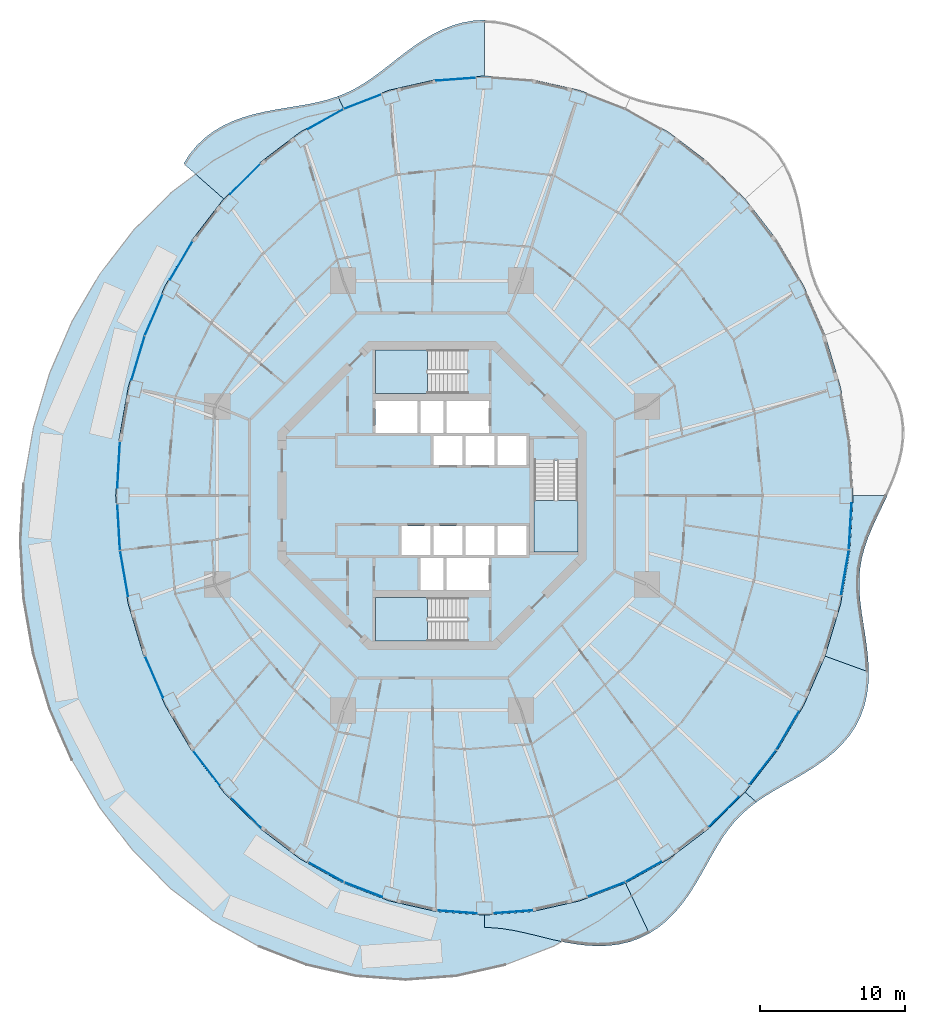
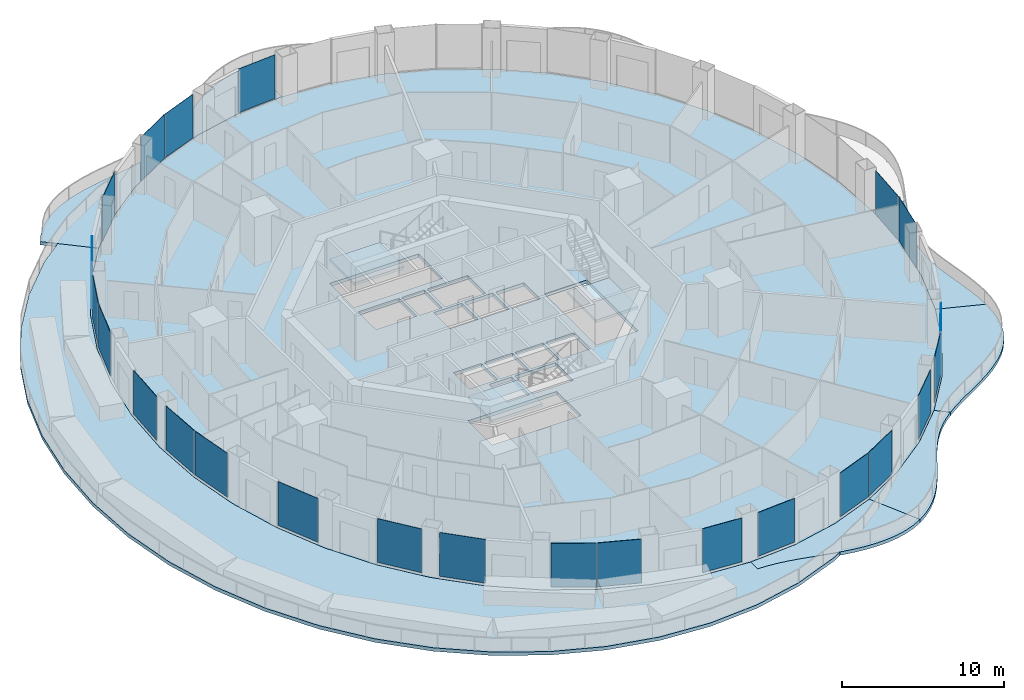
# One storey, part 10 of 20: 24 plates, 11 slabs, 27 elements without a shape of their own.
"""IFC4 building model written with IfcOpenShell, lengths in metres."""

from ifc_helpers import new_model, si_unit, direction, frame, origin, origin_2d, place, context, subcontext, project, spatial, polyline, rectangle, outline, extrude, material, layer, layer_set, type_object, element, aggregate, save


model = new_model("IFC4")

# Units and contexts
model_context = context("Model", 3, precision=1e-05, world=origin(), true_north=direction((0.0, 1.0)))
body_context = subcontext(model_context, "Body", "Model", "MODEL_VIEW")
ifc_project = project(units=[si_unit("LENGTHUNIT", "METRE"), si_unit("AREAUNIT", "SQUARE_METRE"), si_unit("VOLUMEUNIT", "CUBIC_METRE"), si_unit("PLANEANGLEUNIT", "RADIAN"), si_unit("MASSUNIT", "GRAM", prefix="KILO")], contexts=[model_context])

# Site, building, storey
site_placement = place(None, origin())
site = spatial("IfcSite", under=ifc_project, at=site_placement, CompositionType="ELEMENT")
building_placement = place(site_placement, origin())
building = spatial("IfcBuilding", under=site, at=building_placement, Name="Nagisa Residences", CompositionType="ELEMENT")
storey_placement = place(building_placement, frame((0.0, 0.0, 165.89990234375)))
storey = spatial("IfcBuildingStorey", under=building, at=storey_placement, Name="L41", CompositionType="ELEMENT", Elevation=165.89990234375)

# Slabs
ifc_material_1 = material(Name="Concrete C40/50", Category="concrete")
ifc_layer_1 = layer(ifc_material_1, 0.25)
ifc_layer_set_1 = layer_set([ifc_layer_1], Name="BALCONY SLAB 250")
slab_type_1 = type_object("IfcSlabType", Name="BALCONY SLAB 250", PredefinedType="FLOOR", material=ifc_layer_set_1)
slab_1_placement = place(storey_placement, frame((0.0, 0.0, -0.25)))
element("IfcSlab", 1, at=slab_1_placement, inside=storey, type_object=slab_type_1, Name="slab:L41:bal04", PredefinedType="FLOOR", context=body_context, shape_type="SweptSolid", body=[
    extrude(outline(polyline([(3.60009765625, 32.72509765625), (2.865478515625, 32.682373046875), (2.13671875, 32.555908203125), (1.419677734375, 32.3505859375), (0.718994140625, 32.0732421875), (0.03857421875, 31.734130859375), (-0.61962890625, 31.344970703125), (-1.254638671875, 30.919189453125), (-1.867431640625, 30.47021484375), (-2.46044921875, 30.012451171875), (-3.03759765625, 29.559326171875), (-3.60400390625, 29.12255859375), (-4.165283203125, 28.713134765625), (-4.727783203125, 28.3388671875), (-5.298095703125, 28.00537109375), (-5.881591796875, 27.715576171875), (-6.48388671875, 27.46923828125), (-6.110595703125, 26.677001953125), (-2.967529296875, 27.89111328125), (0.287841796875, 28.6279296875), (3.60009765625, 28.875), (3.60009765625, 32.72509765625)])), origin(), (0.0, 0.0, 1.0), 0.25),
])
slab_2_placement = place(storey_placement, frame((0.0, 0.0, -0.25)))
element("IfcSlab", 2, at=slab_2_placement, inside=storey, type_object=slab_type_1, Name="slab:L41:bal05", PredefinedType="FLOOR", context=body_context, shape_type="SweptSolid", body=[
    extrude(outline(polyline([(-6.48388671875, 27.46923828125), (-7.13232421875, 27.25634765625), (-7.807373046875, 27.08154296875), (-8.509033203125, 26.935546875), (-9.235595703125, 26.808349609375), (-9.983154296875, 26.687255859375), (-10.7451171875, 26.559814453125), (-11.513427734375, 26.413330078125), (-12.27880859375, 26.235595703125), (-13.030517578125, 26.015625), (-13.7578125, 25.74462890625), (-14.449951171875, 25.415283203125), (-15.097412109375, 25.023681640625), (-15.691162109375, 24.568115234375), (-16.22509765625, 24.049560546875), (-16.695068359375, 23.4716796875), (-17.099365234375, 22.840087890625), (-14.3427734375, 20.417724609375), (-11.847412109375, 22.907958984375), (-9.08740234375, 25.006591796875), (-6.110595703125, 26.677001953125), (-6.48388671875, 27.46923828125)])), origin(), (0.0, 0.0, 1.0), 0.25),
])
slab_3_placement = place(storey_placement, frame((0.0, 0.0, -0.25)))
element("IfcSlab", 3, at=slab_3_placement, inside=storey, type_object=slab_type_1, Name="slab:L41:bal12", PredefinedType="FLOOR", context=body_context, shape_type="SweptSolid", body=[
    extrude(outline(polyline([(3.60009765625, -29.72509765625), (4.252197265625, -29.748046875), (4.908935546875, -29.81591796875), (5.5751953125, -29.924072265625), (6.25439453125, -30.065185546875), (6.948974609375, -30.2294921875), (7.66015625, -30.40576171875), (8.387451171875, -30.580810546875), (9.129150390625, -30.740966796875), (9.881591796875, -30.872802734375), (10.639892578125, -30.963623046875), (11.39794921875, -31.001220703125), (12.14892578125, -30.97607421875), (12.8857421875, -30.880615234375), (13.60107421875, -30.709716796875), (14.2880859375, -30.46142578125), (14.941162109375, -30.13623046875), (13.310546875, -26.677001953125), (10.16748046875, -27.89111328125), (6.912109375, -28.6279296875), (3.60009765625, -28.875), (3.60009765625, -29.72509765625)])), origin(), (0.0, 0.0, 1.0), 0.25),
])
slab_4_placement = place(storey_placement, frame((0.0, 0.0, -0.25)))
element("IfcSlab", 4, at=slab_4_placement, inside=storey, type_object=slab_type_1, Name="slab:L41:bal13", PredefinedType="FLOOR", context=body_context, shape_type="SweptSolid", body=[
    extrude(outline(polyline([(14.941162109375, -30.13623046875), (15.57763671875, -29.7216796875), (16.16943359375, -29.235107421875), (16.715087890625, -28.68603515625), (17.216064453125, -28.0859375), (17.675537109375, -27.447509765625), (18.09912109375, -26.784912109375), (18.49462890625, -26.111083984375), (18.870361328125, -25.439697265625), (19.237060546875, -24.7822265625), (19.6044921875, -24.1484375), (19.983154296875, -23.54638671875), (20.382568359375, -22.98095703125), (20.810546875, -22.454833984375), (21.273681640625, -21.9677734375), (21.775146484375, -21.51708984375), (22.31689453125, -21.097900390625), (21.542724609375, -20.417724609375), (19.04736328125, -22.907958984375), (16.28759765625, -25.006591796875), (13.310546875, -26.677001953125), (14.941162109375, -30.13623046875)])), origin(), (0.0, 0.0, 1.0), 0.25),
])
slab_5_placement = place(storey_placement, frame((0.0, 0.0, -0.25)))
element("IfcSlab", 5, at=slab_5_placement, inside=storey, type_object=slab_type_1, Name="slab:L41:bal14", PredefinedType="FLOOR", context=body_context, shape_type="SweptSolid", body=[
    extrude(outline(polyline([(22.31689453125, -21.097900390625), (22.926513671875, -20.684326171875), (23.573486328125, -20.287841796875), (24.249755859375, -19.898193359375), (24.944580078125, -19.504150390625), (25.64453125, -19.0947265625), (26.3349609375, -18.66015625), (27.000732421875, -18.19189453125), (27.626708984375, -17.683837890625), (28.198486328125, -17.131591796875), (28.704345703125, -16.533203125), (29.1337890625, -15.889404296875), (29.48095703125, -15.202392578125), (29.742431640625, -14.4775390625), (29.919677734375, -13.720703125), (30.0166015625, -12.939453125), (30.042236328125, -12.1416015625), (27.04345703125, -11.050048828125), (25.575439453125, -14.4375), (23.7314453125, -17.577880859375), (21.542724609375, -20.417724609375), (22.31689453125, -21.097900390625)])), origin(), (0.0, 0.0, 1.0), 0.25),
])
slab_6_placement = place(storey_placement, frame((0.0, 0.0, -0.25)))
element("IfcSlab", 6, at=slab_6_placement, inside=storey, type_object=slab_type_1, Name="slab:L41:bal15", PredefinedType="FLOOR", context=body_context, shape_type="SweptSolid", body=[
    extrude(outline(polyline([(30.042236328125, -12.1416015625), (30.005615234375, -11.3095703125), (29.920654296875, -10.476806640625), (29.804931640625, -9.65087890625), (29.677001953125, -8.83740234375), (29.555419921875, -8.041015625), (29.4580078125, -7.263916015625), (29.400146484375, -6.506103515625), (29.39404296875, -5.7666015625), (29.4482421875, -5.0419921875), (29.5673828125, -4.328369140625), (29.750732421875, -3.62060546875), (29.99365234375, -2.913330078125), (30.287109375, -2.201416015625), (30.61767578125, -1.480712890625), (30.9697265625, -0.74755859375), (31.324951171875, 0.0), (28.97509765625, 0.0), (28.7578125, -3.76904296875), (28.1103515625, -7.473388671875), (27.04345703125, -11.050048828125), (30.042236328125, -12.1416015625)])), origin(), (0.0, 0.0, 1.0), 0.25),
])

# Curtain wall, plate
ifc_material_2 = material(Name="Concrete-coloured aluminium curtain wall system", Category="concrete")
ifc_layer_2 = layer(ifc_material_2, 0.159912109375)
ifc_layer_set_2 = layer_set([ifc_layer_2], Name="CW1 CURTAIN WALL")
curtain_wall_type = type_object("IfcCurtainWallType", Name="CW1 CURTAIN WALL", PredefinedType="NOTDEFINED", material=ifc_layer_set_2)
curtain_wall_1_placement = place(storey_placement, origin())
curtain_wall_1 = element("IfcCurtainWall", 7, at=curtain_wall_1_placement, inside=storey, type_object=curtain_wall_type, Name="cw:CW1:L41:12", PredefinedType="NOTDEFINED")
ifc_material_3 = material(Name="Clear laminated glass", Category="glass")
ifc_layer_3 = layer(ifc_material_3, 0.028076171875)
ifc_layer_set_3 = layer_set([ifc_layer_3], Name="CW1 GLASS PANEL")
plate_type = type_object("IfcPlateType", Name="CW1 GLASS PANEL", PredefinedType="CURTAIN_PANEL", material=ifc_layer_set_3)
plate_1_placement = place(storey_placement, frame((1.645751953125, 28.64892578125, 0.150146484375), z_axis=(0.0, 0.0, 1.0), x_axis=(-0.997230168512, -0.074377355493, 0.0)))
plate_1 = element("IfcPlate", 8, at=plate_1_placement, type_object=plate_type, Name="CW1 panel", PredefinedType="CURTAIN_PANEL", context=body_context, shape_type="SweptSolid", body=[
    extrude(rectangle(XDim=2.711181640625, YDim=0.028076171875, at=origin_2d()), origin(), (0.0, 0.0, 1.0), 3.2900390625),
])
aggregate(curtain_wall_1, [plate_1])

curtain_wall_2_placement = place(storey_placement, origin())
curtain_wall_2 = element("IfcCurtainWall", 9, at=curtain_wall_2_placement, inside=storey, type_object=curtain_wall_type, Name="cw:CW1:L41:14", PredefinedType="NOTDEFINED")
plate_2_placement = place(storey_placement, frame((-4.794677734375, 27.099609375, 0.150146484375), z_axis=(0.0, 0.0, 1.0), x_axis=(-0.932825759707, -0.360327770268, 0.0)))
plate_2 = element("IfcPlate", 10, at=plate_2_placement, type_object=plate_type, Name="CW1 panel", PredefinedType="CURTAIN_PANEL", context=body_context, shape_type="SweptSolid", body=[
    extrude(rectangle(XDim=2.75927734375, YDim=0.028076171875, at=origin_2d()), origin(), (0.0, 0.0, 1.0), 3.2900390625),
])
aggregate(curtain_wall_2, [plate_2])

curtain_wall_3_placement = place(storey_placement, origin())
curtain_wall_3 = element("IfcCurtainWall", 11, at=curtain_wall_3_placement, inside=storey, type_object=curtain_wall_type, Name="cw:CW1:L41:15", PredefinedType="NOTDEFINED")
plate_3_placement = place(storey_placement, frame((-7.34619140625, 25.891845703125, 0.150146484375), z_axis=(0.0, 0.0, 1.0), x_axis=(-0.872072377523, -0.489376918501, 0.0)))
plate_3 = element("IfcPlate", 12, at=plate_3_placement, type_object=plate_type, Name="CW1 panel", PredefinedType="CURTAIN_PANEL", context=body_context, shape_type="SweptSolid", body=[
    extrude(rectangle(XDim=2.8037109375, YDim=0.028076171875, at=origin_2d()), origin(), (0.0, 0.0, 1.0), 3.2900390625),
])
aggregate(curtain_wall_3, [plate_3])

curtain_wall_4_placement = place(storey_placement, origin())
curtain_wall_4 = element("IfcCurtainWall", 13, at=curtain_wall_4_placement, inside=storey, type_object=curtain_wall_type, Name="cw:CW1:L41:17", PredefinedType="NOTDEFINED")
plate_4_placement = place(storey_placement, frame((-12.865234375, 21.779296875, 0.150146484375), z_axis=(0.0, 0.0, 1.0), x_axis=(-0.707835924016, -0.706376885714, 0.0)))
plate_4 = element("IfcPlate", 14, at=plate_4_placement, type_object=plate_type, Name="CW1 panel", PredefinedType="CURTAIN_PANEL", context=body_context, shape_type="SweptSolid", body=[
    extrude(rectangle(XDim=2.91552734375, YDim=0.028076171875, at=origin_2d()), origin(), (0.0, 0.0, 1.0), 3.2900390625),
])
aggregate(curtain_wall_4, [plate_4])

curtain_wall_5_placement = place(storey_placement, origin())
curtain_wall_5 = element("IfcCurtainWall", 15, at=curtain_wall_5_placement, inside=storey, type_object=curtain_wall_type, Name="cw:CW1:L41:19", PredefinedType="NOTDEFINED")
plate_5_placement = place(storey_placement, frame((-17.26025390625, 16.178466796875, 0.150146484375), z_axis=(0.0, 0.0, 1.0), x_axis=(-0.506348567002, -0.862328898214, 0.0)))
plate_5 = element("IfcPlate", 16, at=plate_5_placement, type_object=plate_type, Name="CW1 panel", PredefinedType="CURTAIN_PANEL", context=body_context, shape_type="SweptSolid", body=[
    extrude(rectangle(XDim=3.031982421875, YDim=0.028076171875, at=origin_2d()), origin(), (0.0, 0.0, 1.0), 3.2900390625),
])
aggregate(curtain_wall_5, [plate_5])

curtain_wall_6_placement = place(storey_placement, origin())
curtain_wall_6 = element("IfcCurtainWall", 17, at=curtain_wall_6_placement, inside=storey, type_object=curtain_wall_type, Name="cw:CW1:L41:20", PredefinedType="NOTDEFINED")
plate_6_placement = place(storey_placement, frame((-19.1572265625, 12.43212890625, 0.150146484375), z_axis=(0.0, 0.0, 1.0), x_axis=(-0.397635934147, -0.917543276295, 0.0)))
plate_6 = element("IfcPlate", 18, at=plate_6_placement, type_object=plate_type, Name="CW1 panel", PredefinedType="CURTAIN_PANEL", context=body_context, shape_type="SweptSolid", body=[
    extrude(rectangle(XDim=3.08203125, YDim=0.028076171875, at=origin_2d()), origin(), (0.0, 0.0, 1.0), 3.2900390625),
])
aggregate(curtain_wall_6, [plate_6])

curtain_wall_7_placement = place(storey_placement, origin())
curtain_wall_7 = element("IfcCurtainWall", 19, at=curtain_wall_7_placement, inside=storey, type_object=curtain_wall_type, Name="cw:CW1:L41:21", PredefinedType="NOTDEFINED")
plate_7_placement = place(storey_placement, frame((-20.230224609375, 9.4736328125, 0.150146484375), z_axis=(0.0, 0.0, 1.0), x_axis=(-0.285860274038, -0.958271310082, 0.0)))
plate_7 = element("IfcPlate", 20, at=plate_7_placement, type_object=plate_type, Name="CW1 panel", PredefinedType="CURTAIN_PANEL", context=body_context, shape_type="SweptSolid", body=[
    extrude(rectangle(XDim=3.122314453125, YDim=0.028076171875, at=origin_2d()), origin(), (0.0, 0.0, 1.0), 3.2900390625),
])
aggregate(curtain_wall_7, [plate_7])

curtain_wall_8_placement = place(storey_placement, origin())
curtain_wall_8 = element("IfcCurtainWall", 21, at=curtain_wall_8_placement, inside=storey, type_object=curtain_wall_type, Name="cw:CW1:L41:23", PredefinedType="NOTDEFINED")
plate_8_placement = place(storey_placement, frame((-21.572509765625, 2.12451171875, 0.150146484375), z_axis=(0.0, 0.0, 1.0), x_axis=(-0.057503492216, -0.998345305184, 0.0)))
plate_8 = element("IfcPlate", 22, at=plate_8_placement, type_object=plate_type, Name="CW1 panel", PredefinedType="CURTAIN_PANEL", context=body_context, shape_type="SweptSolid", body=[
    extrude(rectangle(XDim=3.165283203125, YDim=0.028076171875, at=origin_2d()), origin(), (0.0, 0.0, 1.0), 3.2900390625),
])
aggregate(curtain_wall_8, [plate_8])

curtain_wall_9_placement = place(storey_placement, origin())
curtain_wall_9 = element("IfcCurtainWall", 23, at=curtain_wall_9_placement, inside=storey, type_object=curtain_wall_type, Name="cw:CW1:L41:24", PredefinedType="NOTDEFINED")
plate_9_placement = place(storey_placement, frame((-21.569091796875, -2.184326171875, 0.150146484375), z_axis=(0.0, 0.0, 1.0), x_axis=(0.057503492216, -0.998345305184, 0.0)))
plate_9 = element("IfcPlate", 24, at=plate_9_placement, type_object=plate_type, Name="CW1 panel", PredefinedType="CURTAIN_PANEL", context=body_context, shape_type="SweptSolid", body=[
    extrude(rectangle(XDim=3.165283203125, YDim=0.028076171875, at=origin_2d()), origin(), (0.0, 0.0, 1.0), 3.2900390625),
])
aggregate(curtain_wall_9, [plate_9])

curtain_wall_10_placement = place(storey_placement, origin())
curtain_wall_10 = element("IfcCurtainWall", 25, at=curtain_wall_10_placement, inside=storey, type_object=curtain_wall_type, Name="cw:CW1:L41:25", PredefinedType="NOTDEFINED")
plate_10_placement = place(storey_placement, frame((-21.197509765625, -5.365966796875, 0.150146484375), z_axis=(0.0, 0.0, 1.0), x_axis=(0.172190868898, -0.985063604377, 0.0)))
plate_10 = element("IfcPlate", 26, at=plate_10_placement, type_object=plate_type, Name="CW1 panel", PredefinedType="CURTAIN_PANEL", context=body_context, shape_type="SweptSolid", body=[
    extrude(rectangle(XDim=3.150634765625, YDim=0.028076171875, at=origin_2d()), origin(), (0.0, 0.0, 1.0), 3.2900390625),
])
aggregate(curtain_wall_10, [plate_10])

curtain_wall_11_placement = place(storey_placement, origin())
curtain_wall_11 = element("IfcCurtainWall", 27, at=curtain_wall_11_placement, inside=storey, type_object=curtain_wall_type, Name="cw:CW1:L41:27", PredefinedType="NOTDEFINED")
plate_11_placement = place(storey_placement, frame((-19.133544921875, -12.487060546875, 0.150146484375), z_axis=(0.0, 0.0, 1.0), x_axis=(0.397635934147, -0.917543276295, 0.0)))
plate_11 = element("IfcPlate", 28, at=plate_11_placement, type_object=plate_type, Name="CW1 panel", PredefinedType="CURTAIN_PANEL", context=body_context, shape_type="SweptSolid", body=[
    extrude(rectangle(XDim=3.08203125, YDim=0.028076171875, at=origin_2d()), origin(), (0.0, 0.0, 1.0), 3.2900390625),
])
aggregate(curtain_wall_11, [plate_11])

curtain_wall_12_placement = place(storey_placement, origin())
curtain_wall_12 = element("IfcCurtainWall", 29, at=curtain_wall_12_placement, inside=storey, type_object=curtain_wall_type, Name="cw:CW1:L41:29", PredefinedType="NOTDEFINED")
plate_12_placement = place(storey_placement, frame((-15.523193359375, -18.7548828125, 0.150146484375), z_axis=(0.0, 0.0, 1.0), x_axis=(0.610429828235, -0.792070340816, 0.0)))
plate_12 = element("IfcPlate", 30, at=plate_12_placement, type_object=plate_type, Name="CW1 panel", PredefinedType="CURTAIN_PANEL", context=body_context, shape_type="SweptSolid", body=[
    extrude(rectangle(XDim=2.97509765625, YDim=0.028076171875, at=origin_2d()), origin(), (0.0, 0.0, 1.0), 3.2900390625),
])
aggregate(curtain_wall_12, [plate_12])

curtain_wall_13_placement = place(storey_placement, origin())
curtain_wall_13 = element("IfcCurtainWall", 31, at=curtain_wall_13_placement, inside=storey, type_object=curtain_wall_type, Name="cw:CW1:L41:30", PredefinedType="NOTDEFINED")
plate_13_placement = place(storey_placement, frame((-12.82275390625, -21.82177734375, 0.150146484375), z_axis=(0.0, 0.0, 1.0), x_axis=(0.707835924016, -0.706376885714, 0.0)))
plate_13 = element("IfcPlate", 32, at=plate_13_placement, type_object=plate_type, Name="CW1 panel", PredefinedType="CURTAIN_PANEL", context=body_context, shape_type="SweptSolid", body=[
    extrude(rectangle(XDim=2.91552734375, YDim=0.028076171875, at=origin_2d()), origin(), (0.0, 0.0, 1.0), 3.2900390625),
])
aggregate(curtain_wall_13, [plate_13])

curtain_wall_14_placement = place(storey_placement, origin())
curtain_wall_14 = element("IfcCurtainWall", 33, at=curtain_wall_14_placement, inside=storey, type_object=curtain_wall_type, Name="cw:CW1:L41:32", PredefinedType="NOTDEFINED")
plate_14_placement = place(storey_placement, frame((-7.2939453125, -25.921142578125, 0.150146484375), z_axis=(0.0, 0.0, 1.0), x_axis=(0.872072377523, -0.489376918501, 0.0)))
plate_14 = element("IfcPlate", 34, at=plate_14_placement, type_object=plate_type, Name="CW1 panel", PredefinedType="CURTAIN_PANEL", context=body_context, shape_type="SweptSolid", body=[
    extrude(rectangle(XDim=2.8037109375, YDim=0.028076171875, at=origin_2d()), origin(), (0.0, 0.0, 1.0), 3.2900390625),
])
aggregate(curtain_wall_14, [plate_14])

curtain_wall_15_placement = place(storey_placement, origin())
curtain_wall_15 = element("IfcCurtainWall", 35, at=curtain_wall_15_placement, inside=storey, type_object=curtain_wall_type, Name="cw:CW1:L41:33", PredefinedType="NOTDEFINED")
plate_15_placement = place(storey_placement, frame((-4.73876953125, -27.12109375, 0.150146484375), z_axis=(0.0, 0.0, 1.0), x_axis=(0.932825759707, -0.360327770268, 0.0)))
plate_15 = element("IfcPlate", 36, at=plate_15_placement, type_object=plate_type, Name="CW1 panel", PredefinedType="CURTAIN_PANEL", context=body_context, shape_type="SweptSolid", body=[
    extrude(rectangle(XDim=2.75927734375, YDim=0.028076171875, at=origin_2d()), origin(), (0.0, 0.0, 1.0), 3.2900390625),
])
aggregate(curtain_wall_15, [plate_15])

curtain_wall_16_placement = place(storey_placement, origin())
curtain_wall_16 = element("IfcCurtainWall", 37, at=curtain_wall_16_placement, inside=storey, type_object=curtain_wall_type, Name="cw:CW1:L41:35", PredefinedType="NOTDEFINED")
plate_16_placement = place(storey_placement, frame((1.70556640625, -28.653564453125, 0.150146484375), z_axis=(0.0, 0.0, 1.0), x_axis=(0.997230168512, -0.074377355493, 0.0)))
plate_16 = element("IfcPlate", 38, at=plate_16_placement, type_object=plate_type, Name="CW1 panel", PredefinedType="CURTAIN_PANEL", context=body_context, shape_type="SweptSolid", body=[
    extrude(rectangle(XDim=2.711181640625, YDim=0.028076171875, at=origin_2d()), origin(), (0.0, 0.0, 1.0), 3.2900390625),
])
aggregate(curtain_wall_16, [plate_16])

curtain_wall_17_placement = place(storey_placement, origin())
curtain_wall_17 = element("IfcCurtainWall", 39, at=curtain_wall_17_placement, inside=storey, type_object=curtain_wall_type, Name="cw:CW1:L41:36", PredefinedType="NOTDEFINED")
plate_17_placement = place(storey_placement, frame((5.55419921875, -28.64892578125, 0.150146484375), z_axis=(0.0, 0.0, 1.0), x_axis=(0.997230168512, 0.074377355493, 0.0)))
plate_17 = element("IfcPlate", 40, at=plate_17_placement, type_object=plate_type, Name="CW1 panel", PredefinedType="CURTAIN_PANEL", context=body_context, shape_type="SweptSolid", body=[
    extrude(rectangle(XDim=2.711181640625, YDim=0.028076171875, at=origin_2d()), origin(), (0.0, 0.0, 1.0), 3.2900390625),
])
aggregate(curtain_wall_17, [plate_17])

curtain_wall_18_placement = place(storey_placement, origin())
curtain_wall_18 = element("IfcCurtainWall", 41, at=curtain_wall_18_placement, inside=storey, type_object=curtain_wall_type, Name="cw:CW1:L41:38", PredefinedType="NOTDEFINED")
plate_18_placement = place(storey_placement, frame((11.99462890625, -27.099609375, 0.150146484375), z_axis=(0.0, 0.0, 1.0), x_axis=(0.932825759707, 0.360327770268, 0.0)))
plate_18 = element("IfcPlate", 42, at=plate_18_placement, type_object=plate_type, Name="CW1 panel", PredefinedType="CURTAIN_PANEL", context=body_context, shape_type="SweptSolid", body=[
    extrude(rectangle(XDim=2.75927734375, YDim=0.028076171875, at=origin_2d()), origin(), (0.0, 0.0, 1.0), 3.2900390625),
])
aggregate(curtain_wall_18, [plate_18])

curtain_wall_19_placement = place(storey_placement, origin())
curtain_wall_19 = element("IfcCurtainWall", 43, at=curtain_wall_19_placement, inside=storey, type_object=curtain_wall_type, Name="cw:CW1:L41:39", PredefinedType="NOTDEFINED")
plate_19_placement = place(storey_placement, frame((14.546142578125, -25.891845703125, 0.150146484375), z_axis=(0.0, 0.0, 1.0), x_axis=(0.872072377523, 0.489376918501, 0.0)))
plate_19 = element("IfcPlate", 44, at=plate_19_placement, type_object=plate_type, Name="CW1 panel", PredefinedType="CURTAIN_PANEL", context=body_context, shape_type="SweptSolid", body=[
    extrude(rectangle(XDim=2.8037109375, YDim=0.028076171875, at=origin_2d()), origin(), (0.0, 0.0, 1.0), 3.2900390625),
])
aggregate(curtain_wall_19, [plate_19])

curtain_wall_20_placement = place(storey_placement, origin())
curtain_wall_20 = element("IfcCurtainWall", 45, at=curtain_wall_20_placement, inside=storey, type_object=curtain_wall_type, Name="cw:CW1:L41:41", PredefinedType="NOTDEFINED")
plate_20_placement = place(storey_placement, frame((20.065185546875, -21.779296875, 0.150146484375), z_axis=(0.0, 0.0, 1.0), x_axis=(0.707835924016, 0.706376885714, 0.0)))
plate_20 = element("IfcPlate", 46, at=plate_20_placement, type_object=plate_type, Name="CW1 panel", PredefinedType="CURTAIN_PANEL", context=body_context, shape_type="SweptSolid", body=[
    extrude(rectangle(XDim=2.91552734375, YDim=0.028076171875, at=origin_2d()), origin(), (0.0, 0.0, 1.0), 3.2900390625),
])
aggregate(curtain_wall_20, [plate_20])

curtain_wall_21_placement = place(storey_placement, origin())
curtain_wall_21 = element("IfcCurtainWall", 47, at=curtain_wall_21_placement, inside=storey, type_object=curtain_wall_type, Name="cw:CW1:L41:42", PredefinedType="NOTDEFINED")
plate_21_placement = place(storey_placement, frame((22.760009765625, -18.70751953125, 0.150146484375), z_axis=(0.0, 0.0, 1.0), x_axis=(0.610429828235, 0.792070340816, 0.0)))
plate_21 = element("IfcPlate", 48, at=plate_21_placement, type_object=plate_type, Name="CW1 panel", PredefinedType="CURTAIN_PANEL", context=body_context, shape_type="SweptSolid", body=[
    extrude(rectangle(XDim=2.97509765625, YDim=0.028076171875, at=origin_2d()), origin(), (0.0, 0.0, 1.0), 3.2900390625),
])
aggregate(curtain_wall_21, [plate_21])

curtain_wall_22_placement = place(storey_placement, origin())
curtain_wall_22 = element("IfcCurtainWall", 49, at=curtain_wall_22_placement, inside=storey, type_object=curtain_wall_type, Name="cw:CW1:L41:43", PredefinedType="NOTDEFINED")
plate_22_placement = place(storey_placement, frame((24.460205078125, -16.178466796875, 0.150146484375), z_axis=(0.0, 0.0, 1.0), x_axis=(0.506348567002, 0.862328898214, 0.0)))
plate_22 = element("IfcPlate", 50, at=plate_22_placement, type_object=plate_type, Name="CW1 panel", PredefinedType="CURTAIN_PANEL", context=body_context, shape_type="SweptSolid", body=[
    extrude(rectangle(XDim=3.031982421875, YDim=0.028076171875, at=origin_2d()), origin(), (0.0, 0.0, 1.0), 3.2900390625),
])
aggregate(curtain_wall_22, [plate_22])

curtain_wall_23_placement = place(storey_placement, origin())
curtain_wall_23 = element("IfcCurtainWall", 51, at=curtain_wall_23_placement, inside=storey, type_object=curtain_wall_type, Name="cw:CW1:L41:46", PredefinedType="NOTDEFINED")
plate_23_placement = place(storey_placement, frame((28.407958984375, -5.306884765625, 0.150146484375), z_axis=(0.0, 0.0, 1.0), x_axis=(0.172190868898, 0.985063604377, 0.0)))
plate_23 = element("IfcPlate", 52, at=plate_23_placement, type_object=plate_type, Name="CW1 panel", PredefinedType="CURTAIN_PANEL", context=body_context, shape_type="SweptSolid", body=[
    extrude(rectangle(XDim=3.150634765625, YDim=0.028076171875, at=origin_2d()), origin(), (0.0, 0.0, 1.0), 3.2900390625),
])
aggregate(curtain_wall_23, [plate_23])

curtain_wall_24_placement = place(storey_placement, origin())
curtain_wall_24 = element("IfcCurtainWall", 53, at=curtain_wall_24_placement, inside=storey, type_object=curtain_wall_type, Name="cw:CW1:L41:47", PredefinedType="NOTDEFINED")
plate_24_placement = place(storey_placement, frame((28.7724609375, -2.12451171875, 0.150146484375), z_axis=(0.0, 0.0, 1.0), x_axis=(0.057503492216, 0.998345305184, 0.0)))
plate_24 = element("IfcPlate", 54, at=plate_24_placement, type_object=plate_type, Name="CW1 panel", PredefinedType="CURTAIN_PANEL", context=body_context, shape_type="SweptSolid", body=[
    extrude(rectangle(XDim=3.165283203125, YDim=0.028076171875, at=origin_2d()), origin(), (0.0, 0.0, 1.0), 3.2900390625),
])
aggregate(curtain_wall_24, [plate_24])

# Slabs
ifc_material_4 = material(Name="Concrete C40", Category="concrete")
ifc_layer_4 = layer(ifc_material_4, 0.260009765625)
ifc_layer_set_4 = layer_set([ifc_layer_4], Name="Floor slab 260")
slab_type_2 = type_object("IfcSlabType", Name="Floor slab 260", PredefinedType="FLOOR", material=ifc_layer_set_4)
slab_7_placement = place(storey_placement, frame((0.0, 0.0, -0.260009765625)))
element("IfcSlab", 55, at=slab_7_placement, inside=storey, type_object=slab_type_2, Name="slab:L41:floor", PredefinedType="FLOOR", context=body_context, shape_type="SweptSolid", body=[
    extrude(outline(polyline([(28.97509765625, 0.0), (28.7578125, 3.76904296875), (28.1103515625, 7.473388671875), (27.04345703125, 11.050048828125), (25.575439453125, 14.4375), (23.7314453125, 17.577880859375), (21.542724609375, 20.417724609375), (19.04736328125, 22.907958984375), (16.28759765625, 25.006591796875), (13.310546875, 26.677001953125), (10.16748046875, 27.89111328125), (6.912109375, 28.6279296875), (3.60009765625, 28.875), (0.287841796875, 28.6279296875), (-2.967529296875, 27.89111328125), (-6.110595703125, 26.677001953125), (-9.08740234375, 25.006591796875), (-11.847412109375, 22.907958984375), (-14.3427734375, 20.417724609375), (-16.53125, 17.577880859375), (-18.37548828125, 14.4375), (-19.843505859375, 11.050048828125), (-20.910400390625, 7.473388671875), (-21.557861328125, 3.76904296875), (-21.77490234375, 0.0), (-21.557861328125, -3.76904296875), (-20.910400390625, -7.473388671875), (-19.843505859375, -11.050048828125), (-18.37548828125, -14.4375), (-16.53125, -17.577880859375), (-14.3427734375, -20.417724609375), (-11.847412109375, -22.907958984375), (-9.08740234375, -25.006591796875), (-6.110595703125, -26.677001953125), (-2.967529296875, -27.89111328125), (0.287841796875, -28.6279296875), (3.60009765625, -28.875), (6.912109375, -28.6279296875), (10.16748046875, -27.89111328125), (13.310546875, -26.677001953125), (16.28759765625, -25.006591796875), (19.04736328125, -22.907958984375), (21.542724609375, -20.417724609375), (23.7314453125, -17.577880859375), (25.575439453125, -14.4375), (27.04345703125, -11.050048828125), (28.1103515625, -7.473388671875), (28.7578125, -3.76904296875), (28.97509765625, 0.0)]), holes=[polyline([(2.10009765625, 2.10009765625), (2.10009765625, 4.10009765625), (0.10009765625, 4.10009765625), (0.10009765625, 2.10009765625), (2.10009765625, 2.10009765625)]), polyline([(4.300048828125, 2.10009765625), (4.300048828125, 4.10009765625), (2.300048828125, 4.10009765625), (2.300048828125, 2.10009765625), (4.300048828125, 2.10009765625)]), polyline([(6.5, 2.10009765625), (6.5, 4.10009765625), (4.5, 4.10009765625), (4.5, 2.10009765625), (6.5, 2.10009765625)]), polyline([(-0.10009765625, -4.10009765625), (-0.10009765625, -2.10009765625), (-2.10009765625, -2.10009765625), (-2.10009765625, -4.10009765625), (-0.10009765625, -4.10009765625)]), polyline([(2.10009765625, -4.10009765625), (2.10009765625, -2.10009765625), (0.10009765625, -2.10009765625), (0.10009765625, -4.10009765625), (2.10009765625, -4.10009765625)]), polyline([(4.300048828125, -4.10009765625), (4.300048828125, -2.10009765625), (2.300048828125, -2.10009765625), (2.300048828125, -4.10009765625), (4.300048828125, -4.10009765625)]), polyline([(6.5, -4.10009765625), (6.5, -2.10009765625), (4.5, -2.10009765625), (4.5, -4.10009765625), (6.5, -4.10009765625)]), polyline([(3.89990234375, 4.300048828125), (3.89990234375, 6.5), (1.0, 6.5), (1.0, 4.300048828125), (3.89990234375, 4.300048828125)]), polyline([(3.89990234375, -6.5), (3.89990234375, -4.300048828125), (1.0, -4.300048828125), (1.0, -6.5), (3.89990234375, -6.5)]), polyline([(-1.0, 4.300048828125), (-1.0, 6.5), (-3.89990234375, 6.5), (-3.89990234375, 4.300048828125), (-1.0, 4.300048828125)]), polyline([(0.800048828125, 4.300048828125), (0.800048828125, 6.5), (-0.800048828125, 6.5), (-0.800048828125, 4.300048828125), (0.800048828125, 4.300048828125)]), polyline([(0.800048828125, -6.5), (0.800048828125, -4.300048828125), (-0.800048828125, -4.300048828125), (-0.800048828125, -6.5), (0.800048828125, -6.5)]), polyline([(10.024658203125, -3.89990234375), (7.024658203125, -3.89990234375), (7.024658203125, 2.425048828125), (10.024658203125, 2.425048828125), (10.024658203125, -3.89990234375)]), polyline([(-3.89990234375, 7.024658203125), (-3.89990234375, 10.024658203125), (2.425048828125, 10.024658203125), (2.425048828125, 7.024658203125), (-3.89990234375, 7.024658203125)]), polyline([(-3.89990234375, -10.024658203125), (-3.89990234375, -7.024658203125), (2.425048828125, -7.024658203125), (2.425048828125, -10.024658203125), (-3.89990234375, -10.024658203125)])]), origin(), (0.0, 0.0, 1.0), 0.260009765625),
])
ifc_material_5 = material(Name="Concrete C40/50", Category="concrete")
ifc_layer_5 = layer(ifc_material_5, 0.260009765625)
ifc_layer_set_5 = layer_set([ifc_layer_5], Name="SKY GARDEN ROOF SLAB 260")
slab_type_3 = type_object("IfcSlabType", Name="SKY GARDEN ROOF SLAB 260", PredefinedType="ROOF", material=ifc_layer_set_5)
slab_8_placement = place(storey_placement, frame((0.0, 0.0, -0.260009765625)))
element("IfcSlab", 56, at=slab_8_placement, inside=storey, type_object=slab_type_3, Name="slab:L41:garden0", PredefinedType="ROOF", context=body_context, shape_type="SweptSolid", body=[
    extrude(outline(polyline([(8.3544921875, -31.01416015625), (8.92138671875, -30.696044921875), (8.387451171875, -30.580810546875), (7.66015625, -30.40576171875), (6.948974609375, -30.2294921875), (6.25439453125, -30.065185546875), (5.5751953125, -29.924072265625), (4.908935546875, -29.81591796875), (4.252197265625, -29.748046875), (3.60009765625, -29.72509765625), (3.60009765625, -28.875), (0.287841796875, -28.6279296875), (-2.967529296875, -27.89111328125), (-6.110595703125, -26.677001953125), (-9.08740234375, -25.006591796875), (-11.847412109375, -22.907958984375), (-14.3427734375, -20.417724609375), (-16.53125, -17.577880859375), (-18.37548828125, -14.4375), (-19.843505859375, -11.050048828125), (-20.910400390625, -7.473388671875), (-21.557861328125, -3.76904296875), (-21.77490234375, 0.0), (-21.557861328125, 3.76904296875), (-20.910400390625, 7.473388671875), (-19.843505859375, 11.050048828125), (-18.37548828125, 14.4375), (-16.53125, 17.577880859375), (-14.3427734375, 20.417724609375), (-16.27392578125, 22.11474609375), (-17.953369140625, 20.837646484375), (-20.56298828125, 18.2333984375), (-22.8515625, 15.263916015625), (-24.780029296875, 11.979736328125), (-26.315185546875, 8.4375), (-27.430908203125, 4.697265625), (-28.10791015625, 0.823486328125), (-28.3349609375, -3.11767578125), (-28.10791015625, -7.058837890625), (-27.430908203125, -10.9326171875), (-26.315185546875, -14.6728515625), (-24.780029296875, -18.215087890625), (-22.8515625, -21.499267578125), (-20.56298828125, -24.46875), (-17.953369140625, -27.072998046875), (-15.0673828125, -29.267333984375), (-11.95458984375, -31.01416015625), (-8.667724609375, -32.283935546875), (-5.263427734375, -33.054443359375), (-1.800048828125, -33.312744140625), (1.66357421875, -33.054443359375), (5.06787109375, -32.283935546875), (8.3544921875, -31.01416015625)])), origin(), (0.0, 0.0, 1.0), 0.260009765625),
])

# Stair, slab
ifc_material_6 = material(Name="Concrete C60", Category="concrete")
stair_type = type_object("IfcStairType", Name="Exit stair", PredefinedType="HALF_TURN_STAIR", material=ifc_material_6)
stair_1_placement = place(storey_placement, origin())
stair_1 = element("IfcStair", 57, at=stair_1_placement, inside=storey, type_object=stair_type, Name="L41 Exit stair E", PredefinedType="HALF_TURN_STAIR")
ifc_material_7 = material(Name="Concrete C60", Category="concrete")
ifc_layer_6 = layer(ifc_material_7, 0.199951171875)
ifc_layer_set_6 = layer_set([ifc_layer_6], Name="Stair landing")
slab_type_4 = type_object("IfcSlabType", Name="Stair landing", PredefinedType="LANDING", material=ifc_layer_set_6)
slab_9_placement = place(storey_placement, frame((0.0, 0.0, 1.650146484375)))
slab_9 = element("IfcSlab", 58, at=slab_9_placement, type_object=slab_type_4, Name="ST-E landing 1", PredefinedType="LANDING", context=body_context, shape_type="SweptSolid", body=[
    extrude(outline(polyline([(7.024658203125, -0.324951171875), (7.024658203125, -3.89990234375), (10.024658203125, -3.89990234375), (10.024658203125, -0.324951171875), (7.024658203125, -0.324951171875)])), origin(), (0.0, 0.0, 1.0), 0.199951171875),
])
aggregate(stair_1, [slab_9])

stair_2_placement = place(storey_placement, origin())
stair_2 = element("IfcStair", 59, at=stair_2_placement, inside=storey, type_object=stair_type, Name="L41 Exit stair N", PredefinedType="HALF_TURN_STAIR")
slab_10_placement = place(storey_placement, frame((0.0, 0.0, 1.650146484375)))
slab_10 = element("IfcSlab", 60, at=slab_10_placement, type_object=slab_type_4, Name="ST-N landing 1", PredefinedType="LANDING", context=body_context, shape_type="SweptSolid", body=[
    extrude(outline(polyline([(-0.324951171875, 10.024658203125), (-3.89990234375, 10.024658203125), (-3.89990234375, 7.024658203125), (-0.324951171875, 7.024658203125), (-0.324951171875, 10.024658203125)])), origin(), (0.0, 0.0, 1.0), 0.199951171875),
])
aggregate(stair_2, [slab_10])

stair_3_placement = place(storey_placement, origin())
stair_3 = element("IfcStair", 61, at=stair_3_placement, inside=storey, type_object=stair_type, Name="L41 Exit stair S", PredefinedType="HALF_TURN_STAIR")
slab_11_placement = place(storey_placement, frame((0.0, 0.0, 1.650146484375)))
slab_11 = element("IfcSlab", 62, at=slab_11_placement, type_object=slab_type_4, Name="ST-S landing 1", PredefinedType="LANDING", context=body_context, shape_type="SweptSolid", body=[
    extrude(outline(polyline([(-0.324951171875, -7.024658203125), (-3.89990234375, -7.024658203125), (-3.89990234375, -10.024658203125), (-0.324951171875, -10.024658203125), (-0.324951171875, -7.024658203125)])), origin(), (0.0, 0.0, 1.0), 0.199951171875),
])
aggregate(stair_3, [slab_11])

save(model, "model.ifc")
